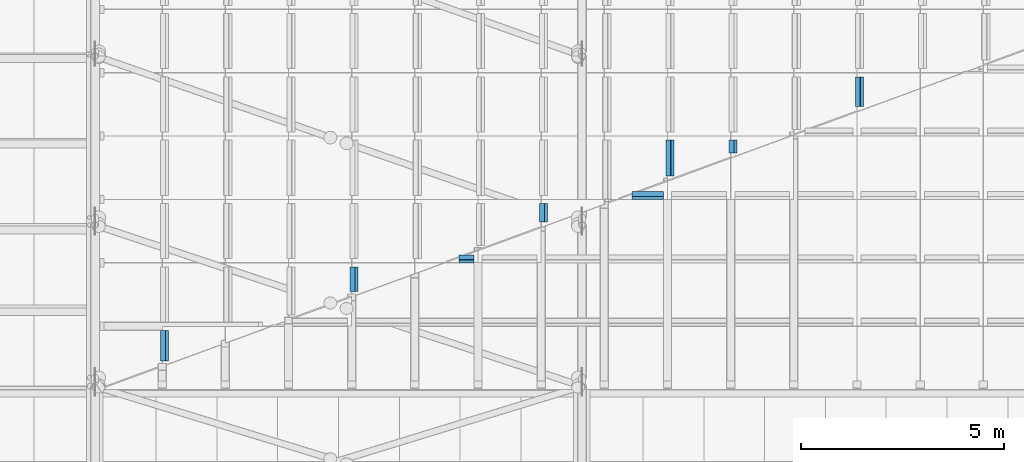
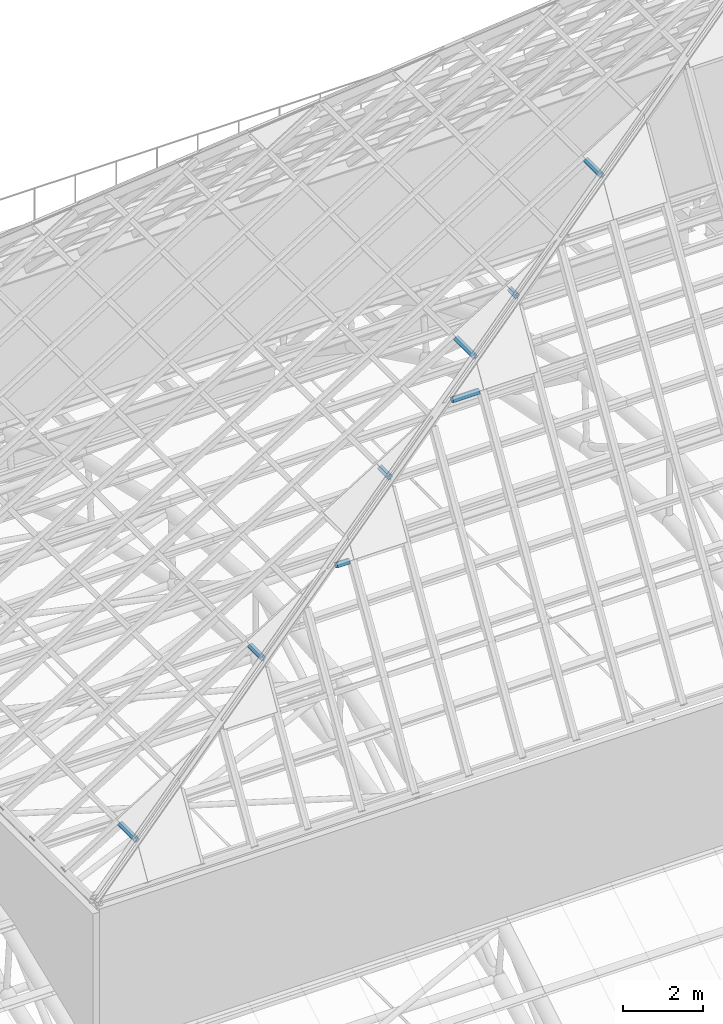
# One storey, part 45 of 110: 8 members.
"""IFC4 building model written with IfcOpenShell, lengths in metres."""

from ifc_helpers import new_model, si_unit, direction, frame, origin, origin_2d, place, context, subcontext, project, spatial, hollow_rectangle, extrude, material, material_profile, profile_set, type_object, element, save


model = new_model("IFC4")

# Units and contexts
model_context = context("Model", 3, precision=1e-05, world=origin(), true_north=direction((0.0, 1.0)))
body_context = subcontext(model_context, "Body", "Model", "MODEL_VIEW")
ifc_project = project(units=[si_unit("LENGTHUNIT", "METRE"), si_unit("AREAUNIT", "SQUARE_METRE"), si_unit("VOLUMEUNIT", "CUBIC_METRE"), si_unit("PLANEANGLEUNIT", "RADIAN"), si_unit("MASSUNIT", "GRAM", prefix="KILO")], contexts=[model_context])

# Site, building, storey
site_placement = place(None, origin())
site = spatial("IfcSite", under=ifc_project, at=site_placement, CompositionType="ELEMENT")
building_placement = place(site_placement, origin())
building = spatial("IfcBuilding", under=site, at=building_placement, Name="Windward Yard Aquatics Centre", CompositionType="ELEMENT")
storey_placement = place(building_placement, frame((0.0, 0.0, 22.60009765625)))
storey = spatial("IfcBuildingStorey", under=building, at=storey_placement, Name="L05", CompositionType="ELEMENT", Elevation=22.60009765625)

# Members
ifc_material = material(Name="Steel ASTM A500 Gr C", Category="steel")
ifc_material_profile = material_profile(ifc_material, hollow_rectangle(XDim=0.15234375, YDim=0.15234375, WallThickness=0.009521484375, InnerFilletRadius=0.004638671875, OuterFilletRadius=0.01416015625, at=origin_2d()), Name="HSS152X152X9.5")
ifc_profile_set = profile_set([ifc_material_profile], Name="Steel ASTM A500 Gr C")
member_type = type_object("IfcMemberType", Name="H lantern purlin HSS152X152X9.5", PredefinedType="PURLIN", material=ifc_profile_set)
member_1_placement = place(storey_placement, frame((105.33740234375, 51.7294921875, 16.1015625), z_axis=(-1.0, 0.0, 0.0), x_axis=(0.0, -0.51011965155, -0.860103447908)))
element("IfcMember", 1, at=member_1_placement, inside=storey, type_object=member_type, Name="H.LN.U.01.02.16", PredefinedType="PURLIN", context=body_context, shape_type="SweptSolid", body=[
    extrude(hollow_rectangle(XDim=0.15234375, YDim=0.15234375, WallThickness=0.009521484375, InnerFilletRadius=0.004638671875, OuterFilletRadius=0.01416015625, at=origin_2d()), origin(), (0.0, 0.0, 1.0), 0.36181640625),
])
member_2_placement = place(storey_placement, frame((110.007080078125, 53.29052734375, 18.73388671875), z_axis=(-1.0, 0.0, 0.0), x_axis=(0.0, -0.51011965155, -0.860103447908)))
element("IfcMember", 2, at=member_2_placement, inside=storey, type_object=member_type, Name="H.LN.U.01.03.12", PredefinedType="PURLIN", context=body_context, shape_type="SweptSolid", body=[
    extrude(hollow_rectangle(XDim=0.15234375, YDim=0.15234375, WallThickness=0.009521484375, InnerFilletRadius=0.004638671875, OuterFilletRadius=0.01416015625, at=origin_2d()), origin(), (0.0, 0.0, 1.0), 0.7705078125),
])
member_3_placement = place(storey_placement, frame((97.715576171875, 49.210205078125, 11.76025390625), z_axis=(0.0, 1.0, 0.0), x_axis=(-0.850755160219, 0.0, -0.525562229771)))
element("IfcMember", 3, at=member_3_placement, inside=storey, type_object=member_type, Name="H.LN.U.04.01.01", PredefinedType="PURLIN", context=body_context, shape_type="SweptSolid", body=[
    extrude(hollow_rectangle(XDim=0.15234375, YDim=0.15234375, WallThickness=0.009521484375, InnerFilletRadius=0.004638671875, OuterFilletRadius=0.01416015625, at=origin_2d()), origin(), (0.0, 0.0, 1.0), 0.760009765625),
])
member_4_placement = place(storey_placement, frame((102.385009765625, 50.921142578125, 14.64501953125), z_axis=(0.0, 1.0, 0.0), x_axis=(-0.850755160219, 0.0, -0.525562229771)))
element("IfcMember", 4, at=member_4_placement, inside=storey, type_object=member_type, Name="H.LN.U.04.04.01", PredefinedType="PURLIN", context=body_context, shape_type="SweptSolid", body=[
    extrude(hollow_rectangle(XDim=0.15234375, YDim=0.15234375, WallThickness=0.009521484375, InnerFilletRadius=0.004638671875, OuterFilletRadius=0.01416015625, at=origin_2d()), origin(), (0.0, 0.0, 1.0), 0.610107421875),
])
member_5_placement = place(storey_placement, frame((107.0546875, 52.632080078125, 17.52978515625), z_axis=(0.0, 1.0, 0.0), x_axis=(-0.850755160219, 0.0, -0.525562229771)))
element("IfcMember", 5, at=member_5_placement, inside=storey, type_object=member_type, Name="H.LN.U.04.07.01", PredefinedType="PURLIN", context=body_context, shape_type="SweptSolid", body=[
    extrude(hollow_rectangle(XDim=0.15234375, YDim=0.15234375, WallThickness=0.009521484375, InnerFilletRadius=0.004638671875, OuterFilletRadius=0.01416015625, at=origin_2d()), origin(), (0.0, 0.0, 1.0), 0.46044921875),
])
member_6_placement = place(storey_placement, frame((110.167724609375, 53.772705078125, 19.452880859375), z_axis=(0.0, 1.0, 0.0), x_axis=(-0.850755160219, 0.0, -0.525562229771)))
element("IfcMember", 6, at=member_6_placement, inside=storey, type_object=member_type, Name="H.LN.U.04.09.01", PredefinedType="PURLIN", context=body_context, shape_type="SweptSolid", body=[
    extrude(hollow_rectangle(XDim=0.15234375, YDim=0.15234375, WallThickness=0.009521484375, InnerFilletRadius=0.004638671875, OuterFilletRadius=0.01416015625, at=origin_2d()), origin(), (0.0, 0.0, 1.0), 0.881103515625),
])
member_7_placement = place(storey_placement, frame((111.72412109375, 54.343017578125, 20.414306640625), z_axis=(0.0, 1.0, 0.0), x_axis=(-0.850755160219, 0.0, -0.525562229771)))
element("IfcMember", 7, at=member_7_placement, inside=storey, type_object=member_type, Name="H.LN.U.04.10.01", PredefinedType="PURLIN", context=body_context, shape_type="SweptSolid", body=[
    extrude(hollow_rectangle(XDim=0.15234375, YDim=0.15234375, WallThickness=0.009521484375, InnerFilletRadius=0.004638671875, OuterFilletRadius=0.01416015625, at=origin_2d()), origin(), (0.0, 0.0, 1.0), 0.310791015625),
])
member_8_placement = place(storey_placement, frame((114.837158203125, 55.4833984375, 22.33740234375), z_axis=(0.0, 1.0, 0.0), x_axis=(-0.850755160219, 0.0, -0.525562229771)))
element("IfcMember", 8, at=member_8_placement, inside=storey, type_object=member_type, Name="H.LN.U.04.12.01", PredefinedType="PURLIN", context=body_context, shape_type="SweptSolid", body=[
    extrude(hollow_rectangle(XDim=0.15234375, YDim=0.15234375, WallThickness=0.009521484375, InnerFilletRadius=0.004638671875, OuterFilletRadius=0.01416015625, at=origin_2d()), origin(), (0.0, 0.0, 1.0), 0.7314453125),
])

save(model, "model.ifc")
